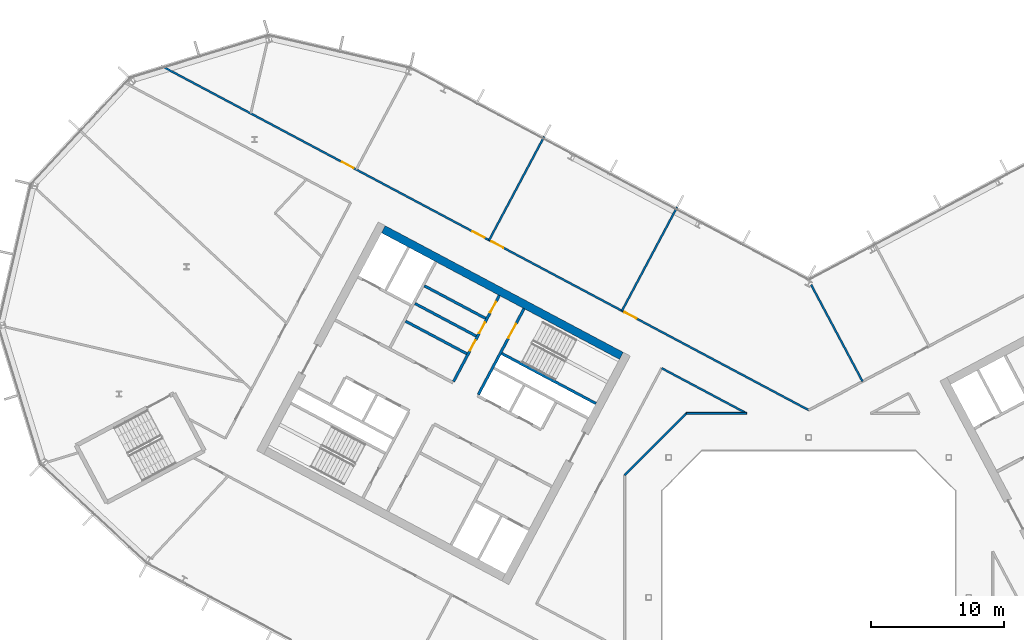
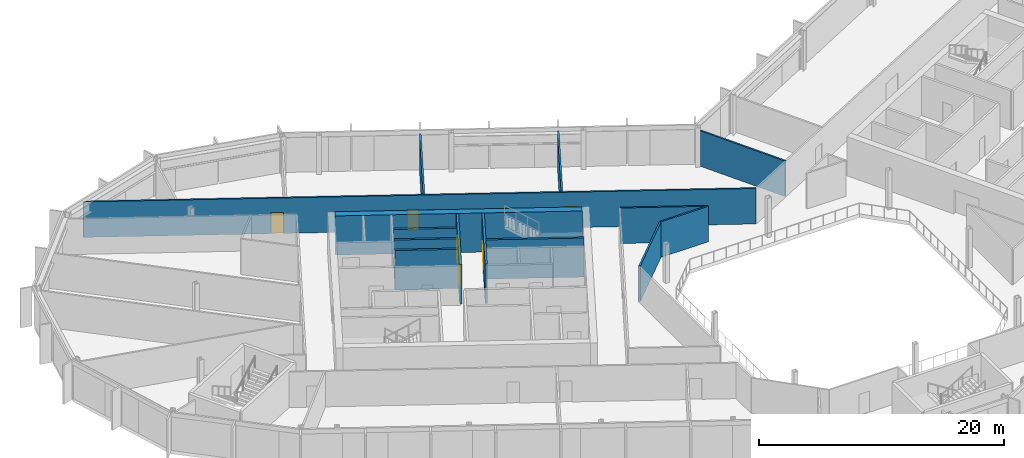
# One storey, part 15 of 27: 14 walls, 8 doors, 8 openings.
"""IFC4 building model written with IfcOpenShell, lengths in metres."""

from ifc_helpers import new_model, si_unit, direction, frame, frame_2d, origin, place, context, subcontext, project, spatial, rectangle, extrude, material, layer, layer_set, type_object, element, fill, save


model = new_model("IFC4")

# Units and contexts
model_context = context("Model", 3, precision=1e-05, world=origin(), true_north=direction((0.0, 1.0)))
body_context = subcontext(model_context, "Body", "Model", "MODEL_VIEW")
ifc_project = project(units=[si_unit("LENGTHUNIT", "METRE"), si_unit("AREAUNIT", "SQUARE_METRE"), si_unit("VOLUMEUNIT", "CUBIC_METRE"), si_unit("PLANEANGLEUNIT", "RADIAN"), si_unit("MASSUNIT", "GRAM", prefix="KILO")], contexts=[model_context])

# Site, building, storey
site_placement = place(None, origin())
site = spatial("IfcSite", under=ifc_project, at=site_placement, CompositionType="ELEMENT")
building_placement = place(site_placement, origin())
building = spatial("IfcBuilding", under=site, at=building_placement, Name="Cormorant Relay Tower", CompositionType="ELEMENT")
storey_placement = place(building_placement, frame((0.0, 0.0, 209.10009765625)))
storey = spatial("IfcBuildingStorey", under=building, at=storey_placement, Name="L45", CompositionType="ELEMENT", Elevation=209.10009765625)

# Walls
ifc_material_1 = material(Name="Concrete 40 MPa", Category="concrete")
ifc_layer_1 = layer(ifc_material_1, 0.199951171875)
ifc_layer_set_1 = layer_set([ifc_layer_1], Name="Core internal wall 200")
wall_type_1 = type_object("IfcWallType", Name="Core internal wall 200", PredefinedType="SOLIDWALL", material=ifc_layer_set_1)
wall_1_placement = place(storey_placement, frame((-24.214599609375, 20.91650390625, 0.0), z_axis=(0.0, 0.0, 1.0), x_axis=(-0.882964314875, 0.469440111896, 0.0)))
element("IfcWall", 1, at=wall_1_placement, inside=storey, type_object=wall_type_1, Name="L45 core A shaft and room wall", PredefinedType="SOLIDWALL", context=body_context, shape_type="SweptSolid", body=[
    extrude(rectangle(XDim=5.2001953125, YDim=0.199951171875, at=frame_2d((2.60009765625, 0.0))), origin(), (0.0, 0.0, 1.0), 3.89990234375),
])
wall_2_placement = place(storey_placement, frame((-24.9189453125, 19.592041015625, 0.0), z_axis=(0.0, 0.0, 1.0), x_axis=(-0.882953967957, 0.469459572775, 0.0)))
element("IfcWall", 2, at=wall_2_placement, inside=storey, type_object=wall_type_1, Name="L45 core A shaft and room wall", PredefinedType="SOLIDWALL", context=body_context, shape_type="SweptSolid", body=[
    extrude(rectangle(XDim=5.199951171875, YDim=0.199951171875, at=frame_2d((2.60009765625, 0.0))), origin(), (0.0, 0.0, 1.0), 3.89990234375),
])

# Wall, opening, door
ifc_material_2 = material(Name="Concrete 50 MPa", Category="concrete")
ifc_layer_2 = layer(ifc_material_2, 0.199951171875)
ifc_layer_set_2 = layer_set([ifc_layer_2], Name="Core shaft wall 200")
wall_type_2 = type_object("IfcWallType", Name="Core shaft wall 200", PredefinedType="SHEAR", material=ifc_layer_set_2)
wall_3_placement = place(storey_placement, frame((-21.333251953125, 21.6494140625, 0.0), z_axis=(0.0, 0.0, 1.0), x_axis=(-0.469494272526, -0.882935517501, 0.0)))
wall_3 = element("IfcWall", 3, at=wall_3_placement, inside=storey, type_object=wall_type_2, Name="L45 core A shaft wall", PredefinedType="SHEAR", context=body_context, shape_type="SweptSolid", body=[
    extrude(rectangle(XDim=7.2998046875, YDim=0.199951171875, at=frame_2d((3.64990234375, 0.0))), origin(), (0.0, 0.0, 1.0), 3.89990234375),
])
opening_1_placement = place(wall_3_placement, frame((1.300048828125, 0.0, 0.0)))
opening_1 = element("IfcOpeningElement", 4, at=opening_1_placement, cuts=wall_3, Name="Opening CDB-038", PredefinedType="OPENING", context=body_context, shape_type="SweptSolid", body=[
    extrude(rectangle(XDim=1.199951171875, YDim=2.10009765625, at=frame_2d((0.60009765625, 1.050048828125))), frame((0.0, 0.10986328125, 0.0), z_axis=(0.0, -1.0, 0.0), x_axis=(1.0, 0.0, 0.0)), (0.0, 0.0, 1.0), 0.219970703125),
])
ifc_material_3 = material(Name="Steel fire door", Category="steel")
door_type_1 = type_object("IfcDoorType", Name="Core stair door 1200x2100", OperationType="SINGLE_SWING_LEFT", PredefinedType="DOOR", material=ifc_material_3)
door_1_placement = place(opening_1_placement, origin())
door_1 = element("IfcDoor", 5, at=door_1_placement, inside=storey, type_object=door_type_1, Name="Core stair door 1200x2100", OperationType="SINGLE_SWING_RIGHT", OverallHeight=2.10009765625, OverallWidth=1.199951171875, PredefinedType="DOOR", context=body_context, shape_type="SweptSolid", body=[
    extrude(rectangle(XDim=1.199951171875, YDim=2.10009765625, at=frame_2d((0.60009765625, 1.050048828125))), frame((0.0, 0.02490234375, 0.0), z_axis=(0.0, -1.0, 0.0), x_axis=(1.0, 0.0, 0.0)), (0.0, 0.0, 1.0), 0.050048828125),
])
fill(opening_1, door_1)

# Wall, openings, doors
wall_4_placement = place(storey_placement, frame((-23.1875, 22.635498046875, 0.0), z_axis=(0.0, 0.0, 1.0), x_axis=(-0.469454336211, -0.882956752176, 0.0)))
wall_4 = element("IfcWall", 6, at=wall_4_placement, inside=storey, type_object=wall_type_2, Name="L45 core A shaft wall", PredefinedType="SHEAR", context=body_context, shape_type="SweptSolid", body=[
    extrude(rectangle(XDim=7.300048828125, YDim=0.199951171875, at=frame_2d((3.64990234375, 0.0))), origin(), (0.0, 0.0, 1.0), 3.89990234375),
])
opening_2_placement = place(wall_4_placement, frame((0.550048828125, 0.0, 0.0)))
opening_2 = element("IfcOpeningElement", 7, at=opening_2_placement, cuts=wall_4, Name="Opening CDD-257", PredefinedType="OPENING", context=body_context, shape_type="SweptSolid", body=[
    extrude(rectangle(XDim=0.89990234375, YDim=2.10009765625, at=frame_2d((0.449951171875, 1.050048828125))), frame((0.0, 0.10986328125, 0.0), z_axis=(0.0, -1.0, 0.0), x_axis=(1.0, 0.0, 0.0)), (0.0, 0.0, 1.0), 0.219970703125),
])
opening_3_placement = place(wall_4_placement, frame((2.300048828125, 0.0, 0.0)))
opening_3 = element("IfcOpeningElement", 8, at=opening_3_placement, cuts=wall_4, Name="Opening CDD-258", PredefinedType="OPENING", context=body_context, shape_type="SweptSolid", body=[
    extrude(rectangle(XDim=0.89990234375, YDim=2.10009765625, at=frame_2d((0.449951171875, 1.050048828125))), frame((0.0, 0.10986328125, 0.0), z_axis=(0.0, -1.0, 0.0), x_axis=(1.0, 0.0, 0.0)), (0.0, 0.0, 1.0), 0.219970703125),
])
opening_4_placement = place(wall_4_placement, frame((3.800048828125, 0.0, 0.0)))
opening_4 = element("IfcOpeningElement", 9, at=opening_4_placement, cuts=wall_4, Name="Opening CDD-259", PredefinedType="OPENING", context=body_context, shape_type="SweptSolid", body=[
    extrude(rectangle(XDim=0.89990234375, YDim=2.10009765625, at=frame_2d((0.449951171875, 1.050048828125))), frame((0.0, 0.10986328125, 0.0), z_axis=(0.0, -1.0, 0.0), x_axis=(1.0, 0.0, 0.0)), (0.0, 0.0, 1.0), 0.219970703125),
])
ifc_material_4 = material(Name="Steel fire door", Category="steel")
door_type_2 = type_object("IfcDoorType", Name="Core room door 900x2100", OperationType="SINGLE_SWING_LEFT", PredefinedType="DOOR", material=ifc_material_4)
door_2_placement = place(opening_2_placement, origin())
door_2 = element("IfcDoor", 10, at=door_2_placement, inside=storey, type_object=door_type_2, Name="Core room door 900x2100", OperationType="SINGLE_SWING_LEFT", OverallHeight=2.10009765625, OverallWidth=0.89990234375, PredefinedType="DOOR", context=body_context, shape_type="SweptSolid", body=[
    extrude(rectangle(XDim=0.89990234375, YDim=2.10009765625, at=frame_2d((0.449951171875, 1.050048828125))), frame((0.0, 0.02490234375, 0.0), z_axis=(0.0, -1.0, 0.0), x_axis=(1.0, 0.0, 0.0)), (0.0, 0.0, 1.0), 0.050048828125),
])
fill(opening_2, door_2)
door_3_placement = place(opening_3_placement, origin())
door_3 = element("IfcDoor", 11, at=door_3_placement, inside=storey, type_object=door_type_2, Name="Core room door 900x2100", OperationType="SINGLE_SWING_LEFT", OverallHeight=2.10009765625, OverallWidth=0.89990234375, PredefinedType="DOOR", context=body_context, shape_type="SweptSolid", body=[
    extrude(rectangle(XDim=0.89990234375, YDim=2.10009765625, at=frame_2d((0.449951171875, 1.050048828125))), frame((0.0, 0.02490234375, 0.0), z_axis=(0.0, -1.0, 0.0), x_axis=(1.0, 0.0, 0.0)), (0.0, 0.0, 1.0), 0.050048828125),
])
fill(opening_3, door_3)
door_4_placement = place(opening_4_placement, origin())
door_4 = element("IfcDoor", 12, at=door_4_placement, inside=storey, type_object=door_type_2, Name="Core room door 900x2100", OperationType="SINGLE_SWING_LEFT", OverallHeight=2.10009765625, OverallWidth=0.89990234375, PredefinedType="DOOR", context=body_context, shape_type="SweptSolid", body=[
    extrude(rectangle(XDim=0.89990234375, YDim=2.10009765625, at=frame_2d((0.449951171875, 1.050048828125))), frame((0.0, 0.02490234375, 0.0), z_axis=(0.0, -1.0, 0.0), x_axis=(1.0, 0.0, 0.0)), (0.0, 0.0, 1.0), 0.050048828125),
])
fill(opening_4, door_4)

# Walls
wall_5_placement = place(storey_placement, frame((-15.94189453125, 14.53564453125, 0.0), z_axis=(0.0, 0.0, 1.0), x_axis=(-0.882946947542, 0.469472776449, 0.0)))
element("IfcWall", 13, at=wall_5_placement, inside=storey, type_object=wall_type_2, Name="L45 core A shaft wall", PredefinedType="SHEAR", context=body_context, shape_type="SweptSolid", body=[
    extrude(rectangle(XDim=8.000244140625, YDim=0.199951171875, at=frame_2d((4.0, 0.0))), origin(), (0.0, 0.0, 1.0), 3.89990234375),
])
wall_6_placement = place(storey_placement, frame((-25.623046875, 18.267578125, 0.0), z_axis=(0.0, 0.0, 1.0), x_axis=(-0.882953967957, 0.469459572775, 0.0)))
element("IfcWall", 14, at=wall_6_placement, inside=storey, type_object=wall_type_2, Name="L45 core A shaft wall", PredefinedType="SHEAR", context=body_context, shape_type="SweptSolid", body=[
    extrude(rectangle(XDim=5.199951171875, YDim=0.199951171875, at=frame_2d((2.60009765625, 0.0))), origin(), (0.0, 0.0, 1.0), 3.89990234375),
])
ifc_material_5 = material(Name="Concrete 50 MPa", Category="concrete")
ifc_layer_3 = layer(ifc_material_5, 0.60009765625)
ifc_layer_set_3 = layer_set([ifc_layer_3], Name="Core wall 600")
wall_type_3 = type_object("IfcWallType", Name="Core wall 600", PredefinedType="SHEAR", material=ifc_layer_set_3)
wall_7_placement = place(storey_placement, frame((-14.04052734375, 18.111572265625, 0.0), z_axis=(0.0, 0.0, 1.0), x_axis=(-0.882947755831, 0.46947125628, 0.0)))
element("IfcWall", 15, at=wall_7_placement, inside=storey, type_object=wall_type_3, Name="L45 core A wall", PredefinedType="SHEAR", context=body_context, shape_type="SweptSolid", body=[
    extrude(rectangle(XDim=20.2001953125, YDim=0.60009765625, at=frame_2d((10.10009765625, 0.0))), origin(), (0.0, 0.0, 1.0), 3.89990234375),
])

# Wall, openings, doors
ifc_material_6 = material(Name="Gypsum board fire partition")
ifc_layer_4 = layer(ifc_material_6, 0.14990234375)
ifc_layer_set_4 = layer_set([ifc_layer_4], Name="Corridor partition 150 EI 60")
wall_type_4 = type_object("IfcWallType", Name="Corridor partition 150 EI 60", PredefinedType="PARTITIONING", material=ifc_layer_set_4)
wall_8_placement = place(storey_placement, frame((-48.541015625, 39.85400390625, 0.0), z_axis=(0.0, 0.0, 1.0), x_axis=(0.882945008423, -0.469476423372, 0.0)))
wall_8 = element("IfcWall", 16, at=wall_8_placement, inside=storey, type_object=wall_type_4, Name="wall/L45/part/011", PredefinedType="PARTITIONING", context=body_context, shape_type="SweptSolid", body=[
    extrude(rectangle(XDim=54.976318359375, YDim=0.14990234375, at=frame_2d((27.48828125, 0.0))), origin(), (0.0, 0.0, 1.0), 3.539794921875),
])
opening_5_placement = place(wall_8_placement, frame((39.35009765625, 0.0, 0.0)))
opening_5 = element("IfcOpeningElement", 17, at=opening_5_placement, cuts=wall_8, Name="Opening DS-134", PredefinedType="OPENING", context=body_context, shape_type="SweptSolid", body=[
    extrude(rectangle(XDim=1.0, YDim=2.10009765625, at=frame_2d((0.5, 1.050048828125))), frame((0.0, 0.0849609375, 0.0), z_axis=(0.0, -1.0, 0.0), x_axis=(1.0, 0.0, 0.0)), (0.0, 0.0, 1.0), 0.169921875),
])
opening_6_placement = place(wall_8_placement, frame((28.050048828125, 0.0, 0.0)))
opening_6 = element("IfcOpeningElement", 18, at=opening_6_placement, cuts=wall_8, Name="Opening DS-135", PredefinedType="OPENING", context=body_context, shape_type="SweptSolid", body=[
    extrude(rectangle(XDim=1.0, YDim=2.10009765625, at=frame_2d((0.5, 1.050048828125))), frame((0.0, 0.0849609375, 0.0), z_axis=(0.0, -1.0, 0.0), x_axis=(1.0, 0.0, 0.0)), (0.0, 0.0, 1.0), 0.169921875),
])
opening_7_placement = place(wall_8_placement, frame((26.448974609375, 0.0, 0.0)))
opening_7 = element("IfcOpeningElement", 19, at=opening_7_placement, cuts=wall_8, Name="Opening DS-136", PredefinedType="OPENING", context=body_context, shape_type="SweptSolid", body=[
    extrude(rectangle(XDim=1.0, YDim=2.10009765625, at=frame_2d((0.5, 1.050048828125))), frame((0.0, 0.0849609375, 0.0), z_axis=(0.0, -1.0, 0.0), x_axis=(1.0, 0.0, 0.0)), (0.0, 0.0, 1.0), 0.169921875),
])
opening_8_placement = place(wall_8_placement, frame((15.35009765625, 0.0, 0.0)))
opening_8 = element("IfcOpeningElement", 20, at=opening_8_placement, cuts=wall_8, Name="Opening DS-120", PredefinedType="OPENING", context=body_context, shape_type="SweptSolid", body=[
    extrude(rectangle(XDim=1.0, YDim=2.10009765625, at=frame_2d((0.5, 1.050048828125))), frame((0.0, 0.0849609375, 0.0), z_axis=(0.0, -1.0, 0.0), x_axis=(1.0, 0.0, 0.0)), (0.0, 0.0, 1.0), 0.169921875),
])
ifc_material_7 = material(Name="Timber door leaf", Category="wood")
door_type_3 = type_object("IfcDoorType", Name="Suite door 1000x2100", OperationType="SINGLE_SWING_LEFT", PredefinedType="DOOR", material=ifc_material_7)
door_5_placement = place(opening_5_placement, origin())
door_5 = element("IfcDoor", 21, at=door_5_placement, inside=storey, type_object=door_type_3, Name="door/L45/017", OperationType="SINGLE_SWING_LEFT", OverallHeight=2.10009765625, OverallWidth=1.0, PredefinedType="DOOR", context=body_context, shape_type="SweptSolid", body=[
    extrude(rectangle(XDim=1.0, YDim=2.10009765625, at=frame_2d((0.5, 1.050048828125))), frame((0.0, 0.02490234375, 0.0), z_axis=(0.0, -1.0, 0.0), x_axis=(1.0, 0.0, 0.0)), (0.0, 0.0, 1.0), 0.050048828125),
])
fill(opening_5, door_5)
door_6_placement = place(opening_6_placement, origin())
door_6 = element("IfcDoor", 22, at=door_6_placement, inside=storey, type_object=door_type_3, Name="door/L45/018", OperationType="SINGLE_SWING_LEFT", OverallHeight=2.10009765625, OverallWidth=1.0, PredefinedType="DOOR", context=body_context, shape_type="SweptSolid", body=[
    extrude(rectangle(XDim=1.0, YDim=2.10009765625, at=frame_2d((0.5, 1.050048828125))), frame((0.0, 0.02490234375, 0.0), z_axis=(0.0, -1.0, 0.0), x_axis=(1.0, 0.0, 0.0)), (0.0, 0.0, 1.0), 0.050048828125),
])
fill(opening_6, door_6)
door_7_placement = place(opening_7_placement, origin())
door_7 = element("IfcDoor", 23, at=door_7_placement, inside=storey, type_object=door_type_3, Name="door/L45/019", OperationType="SINGLE_SWING_RIGHT", OverallHeight=2.10009765625, OverallWidth=1.0, PredefinedType="DOOR", context=body_context, shape_type="SweptSolid", body=[
    extrude(rectangle(XDim=1.0, YDim=2.10009765625, at=frame_2d((0.5, 1.050048828125))), frame((0.0, 0.02490234375, 0.0), z_axis=(0.0, -1.0, 0.0), x_axis=(1.0, 0.0, 0.0)), (0.0, 0.0, 1.0), 0.050048828125),
])
fill(opening_7, door_7)
door_8_placement = place(opening_8_placement, origin())
door_8 = element("IfcDoor", 24, at=door_8_placement, inside=storey, type_object=door_type_3, Name="door/L45/020", OperationType="SINGLE_SWING_RIGHT", OverallHeight=2.10009765625, OverallWidth=1.0, PredefinedType="DOOR", context=body_context, shape_type="SweptSolid", body=[
    extrude(rectangle(XDim=1.0, YDim=2.10009765625, at=frame_2d((0.5, 1.050048828125))), frame((0.0, 0.02490234375, 0.0), z_axis=(0.0, -1.0, 0.0), x_axis=(1.0, 0.0, 0.0)), (0.0, 0.0, 1.0), 0.050048828125),
])
fill(opening_8, door_8)

# Walls
wall_9_placement = place(storey_placement, frame((-11.02197265625, 17.18603515625, 0.0), z_axis=(0.0, 0.0, 1.0), x_axis=(0.882971498546, -0.469426599967, 0.0)))
element("IfcWall", 25, at=wall_9_placement, inside=storey, type_object=wall_type_4, Name="wall/L45/part/045", PredefinedType="PARTITIONING", context=body_context, shape_type="SweptSolid", body=[
    extrude(rectangle(XDim=7.213134765625, YDim=0.14990234375, at=frame_2d((3.6064453125, 0.0))), origin(), (0.0, 0.0, 1.0), 3.539794921875),
])
wall_10_placement = place(storey_placement, frame((-4.653076171875, 13.800048828125, 0.0), z_axis=(0.0, 0.0, 1.0), x_axis=(-1.0, 0.0, 0.0)))
element("IfcWall", 26, at=wall_10_placement, inside=storey, type_object=wall_type_4, Name="wall/L45/part/046", PredefinedType="PARTITIONING", context=body_context, shape_type="SweptSolid", body=[
    extrude(rectangle(XDim=4.5068359375, YDim=0.14990234375, at=frame_2d((2.25341796875, 0.0))), origin(), (0.0, 0.0, 1.0), 3.539794921875),
])
wall_11_placement = place(storey_placement, frame((-9.159912109375, 13.800048828125, 0.0), z_axis=(0.0, 0.0, 1.0), x_axis=(-0.707106781187, -0.707106781187, 0.0)))
element("IfcWall", 27, at=wall_11_placement, inside=storey, type_object=wall_type_4, Name="wall/L45/part/047", PredefinedType="PARTITIONING", context=body_context, shape_type="SweptSolid", body=[
    extrude(rectangle(XDim=6.562255859375, YDim=0.14990234375, at=frame_2d((3.28125, 0.0))), origin(), (0.0, 0.0, 1.0), 3.539794921875),
])
ifc_material_8 = material(Name="Gypsum board partition")
ifc_layer_5 = layer(ifc_material_8, 0.14990234375)
ifc_layer_set_5 = layer_set([ifc_layer_5], Name="Tenant partition 150")
wall_type_5 = type_object("IfcWallType", Name="Tenant partition 150", PredefinedType="PARTITIONING", material=ifc_layer_set_5)
for number, where, z_axis, x_axis, name in (
    (28, (-19.822021484375, 34.550048828125, 0.0), (0.0, 0.0, 1.0), (-0.469424316479, -0.882972712545, 0.0), "wall/L45/part/019"),
    (29, (-9.864013671875, 29.2548828125, 0.0), (0.0, 0.0, 1.0), (-0.469457446168, -0.882955098653, 0.0), "wall/L45/part/020"),
):
    element("IfcWall", number, at=place(storey_placement, frame(where, z_axis=z_axis, x_axis=x_axis)), inside=storey, type_object=wall_type_5, Name=name, PredefinedType="PARTITIONING", context=body_context, shape_type="SweptSolid", body=[
        extrude(rectangle(XDim=8.7998046875, YDim=0.14990234375, at=frame_2d((4.39990234375, 0.0))), origin(), (0.0, 0.0, 1.0), 3.539794921875),
    ])
wall_12_placement = place(storey_placement, frame((0.18310546875, 23.43994140625, 0.0), z_axis=(0.0, 0.0, 1.0), x_axis=(0.469529135479, -0.882916978507, 0.0)))
element("IfcWall", 30, at=wall_12_placement, inside=storey, type_object=wall_type_5, Name="wall/L45/part/024", PredefinedType="PARTITIONING", context=body_context, shape_type="SweptSolid", body=[
    extrude(rectangle(XDim=8.210205078125, YDim=0.14990234375, at=frame_2d((4.10498046875, 0.0))), origin(), (0.0, 0.0, 1.0), 3.539794921875),
])

save(model, "model.ifc")
